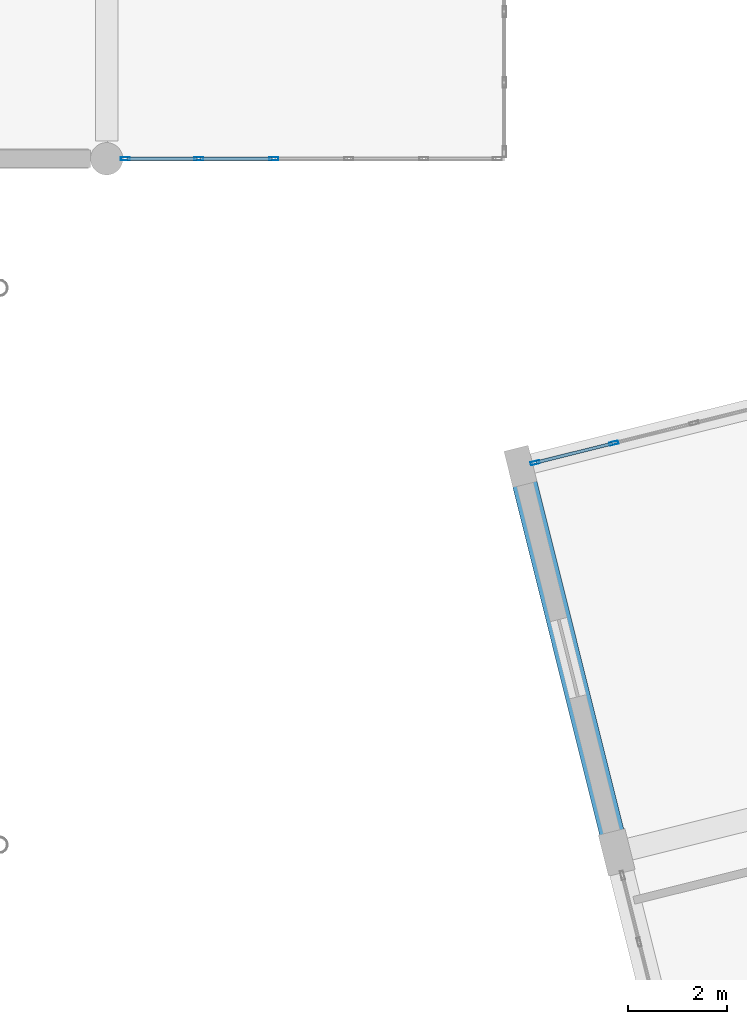
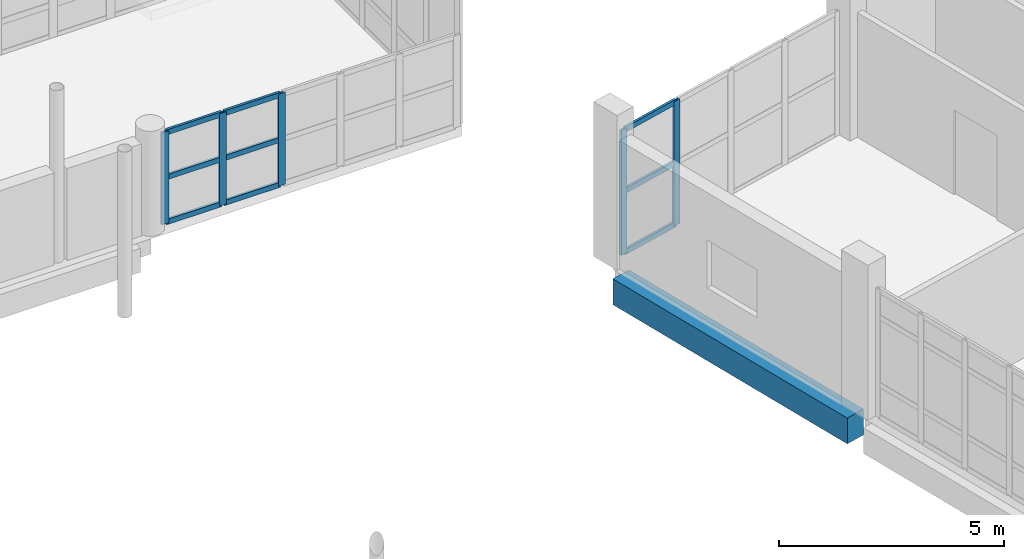
# One storey, part 57 of 164: 14 members, 1 beam, 2 elements without a shape of their own.
"""IFC4 building model written with IfcOpenShell, lengths in metres."""

from ifc_helpers import new_model, si_unit, direction, frame, origin, origin_2d, place, context, subcontext, project, spatial, rectangle, hollow_rectangle, extrude, material, layer, layer_set, material_profile, profile_set, type_object, element, aggregate, save


model = new_model("IFC4")

# Units and contexts
model_context = context("Model", 3, precision=1e-05, world=origin(), true_north=direction((0.0, 1.0)))
body_context = subcontext(model_context, "Body", "Model", "MODEL_VIEW")
ifc_project = project(units=[si_unit("LENGTHUNIT", "METRE"), si_unit("AREAUNIT", "SQUARE_METRE"), si_unit("VOLUMEUNIT", "CUBIC_METRE"), si_unit("PLANEANGLEUNIT", "RADIAN"), si_unit("MASSUNIT", "GRAM", prefix="KILO")], contexts=[model_context])

# Site, building, storey
site_placement = place(None, origin())
site = spatial("IfcSite", under=ifc_project, at=site_placement, CompositionType="ELEMENT")
building_placement = place(site_placement, origin())
building = spatial("IfcBuilding", under=site, at=building_placement, Name="Mawjan Specialist Oncology Clinic", CompositionType="ELEMENT")
storey_placement = place(building_placement, frame((0.0, 0.0, 5.0)))
storey = spatial("IfcBuildingStorey", under=building, at=storey_placement, Name="L01", CompositionType="ELEMENT", Elevation=5.0)

# Curtain wall, members
ifc_material_1 = material(Name="Unitised spectrally selective aluminium curtain wall", Category="aluminium")
ifc_layer_1 = layer(ifc_material_1, 0.179931640625, Name="Unitised spectrally selective aluminium curtain wall", Category="aluminium")
ifc_layer_set_1 = layer_set([ifc_layer_1], Name="Unitised spectrally selective aluminium curtain wall")
curtain_wall_type_1 = type_object("IfcCurtainWallType", Name="CW-48", PredefinedType="NOTDEFINED", material=ifc_layer_set_1)
curtain_wall_1_placement = place(storey_placement, origin())
curtain_wall_1 = element("IfcCurtainWall", 1, at=curtain_wall_1_placement, inside=storey, type_object=curtain_wall_type_1, Name="L01 Unitised Curtain Wall CW-L01-092", PredefinedType="NOTDEFINED")
ifc_material_2 = material(Name="Thermally broken aluminium 6063-T6", Category="aluminium")
ifc_material_profile_1 = material_profile(ifc_material_2, hollow_rectangle(XDim=0.06494140625, YDim=0.179931640625, WallThickness=0.00390625, at=origin_2d()), Name="ALU MULLION 180x65x4", Category="aluminium")
ifc_profile_set_1 = profile_set([ifc_material_profile_1], Name="Thermally broken aluminium 6063-T6")
member_type_1 = type_object("IfcMemberType", Name="CW-M180", PredefinedType="MULLION", material=ifc_profile_set_1)
member_1_placement = place(storey_placement, frame((116.61669921875, 39.68505859375, 0.0), z_axis=(0.0, 0.0, 1.0), x_axis=(-0.241922080664, 0.970295680134, 0.0)))
member_1 = element("IfcMember", 2, at=member_1_placement, type_object=member_type_1, Name="CW-48 mullion 1", PredefinedType="MULLION", context=body_context, shape_type="SweptSolid", body=[
    extrude(hollow_rectangle(XDim=0.06494140625, YDim=0.179931640625, WallThickness=0.00390625, at=origin_2d()), origin(), (0.0, 0.0, 1.0), 3.385009765625),
])
member_2_placement = place(storey_placement, frame((118.20068359375, 40.079833984375, 0.0), z_axis=(0.0, 0.0, 1.0), x_axis=(-0.241922080664, 0.970295680134, 0.0)))
member_2 = element("IfcMember", 3, at=member_2_placement, type_object=member_type_1, Name="CW-48 mullion 2", PredefinedType="MULLION", context=body_context, shape_type="SweptSolid", body=[
    extrude(hollow_rectangle(XDim=0.06494140625, YDim=0.179931640625, WallThickness=0.00390625, at=origin_2d()), origin(), (0.0, 0.0, 1.0), 3.385009765625),
])

ifc_material_3 = material(Name="Unitised spectrally selective aluminium curtain wall", Category="aluminium")
ifc_layer_2 = layer(ifc_material_3, 0.179931640625, Name="Unitised spectrally selective aluminium curtain wall", Category="aluminium")
ifc_layer_set_2 = layer_set([ifc_layer_2], Name="Unitised spectrally selective aluminium curtain wall")
curtain_wall_type_2 = type_object("IfcCurtainWallType", Name="CW-69", PredefinedType="NOTDEFINED", material=ifc_layer_set_2)
curtain_wall_2_placement = place(storey_placement, origin())
curtain_wall_2 = element("IfcCurtainWall", 4, at=curtain_wall_2_placement, inside=storey, type_object=curtain_wall_type_2, Name="L01 Unitised Curtain Wall CW-L01-137", PredefinedType="NOTDEFINED")
member_3_placement = place(storey_placement, frame((111.363037109375, 45.800048828125, 0.0), z_axis=(0.0, 0.0, 1.0), x_axis=(0.0, -1.0, 0.0)))
member_3 = element("IfcMember", 5, at=member_3_placement, type_object=member_type_1, Name="CW-69 mullion 4", PredefinedType="MULLION", context=body_context, shape_type="SweptSolid", body=[
    extrude(hollow_rectangle(XDim=0.06494140625, YDim=0.179931640625, WallThickness=0.00390625, at=origin_2d()), origin(), (0.0, 0.0, 1.0), 2.5),
])
member_4_placement = place(storey_placement, frame((109.85400390625, 45.800048828125, 0.0), z_axis=(0.0, 0.0, 1.0), x_axis=(0.0, -1.0, 0.0)))
member_4 = element("IfcMember", 6, at=member_4_placement, type_object=member_type_1, Name="CW-69 mullion 5", PredefinedType="MULLION", context=body_context, shape_type="SweptSolid", body=[
    extrude(hollow_rectangle(XDim=0.06494140625, YDim=0.179931640625, WallThickness=0.00390625, at=origin_2d()), origin(), (0.0, 0.0, 1.0), 2.5),
])
member_5_placement = place(storey_placement, frame((108.37744140625, 45.800048828125, 0.0), z_axis=(0.0, 0.0, 1.0), x_axis=(0.0, -1.0, 0.0)))
member_5 = element("IfcMember", 7, at=member_5_placement, type_object=member_type_1, Name="CW-69 mullion 6", PredefinedType="MULLION", context=body_context, shape_type="SweptSolid", body=[
    extrude(hollow_rectangle(XDim=0.06494140625, YDim=0.179931640625, WallThickness=0.00390625, at=origin_2d()), origin(), (0.0, 0.0, 1.0), 2.5),
])

# Member
ifc_material_4 = material(Name="Thermally broken aluminium 6063-T6", Category="aluminium")
ifc_material_profile_2 = material_profile(ifc_material_4, hollow_rectangle(XDim=0.06494140625, YDim=0.139892578125, WallThickness=0.00390625, at=origin_2d()), Name="ALU TRANSOM 140x65x4", Category="aluminium")
ifc_profile_set_2 = profile_set([ifc_material_profile_2], Name="Thermally broken aluminium 6063-T6")
member_type_2 = type_object("IfcMemberType", Name="CW-T140", PredefinedType="USERDEFINED", material=ifc_profile_set_2)
member_6_placement = place(storey_placement, frame((116.648193359375, 39.69287109375, 0.032470703125), z_axis=(0.970307185051, 0.241875932325, 0.0), x_axis=(-0.241875932325, 0.970307185051, 0.0)))
member_6 = element("IfcMember", 8, at=member_6_placement, type_object=member_type_2, Name="CW-48 transom 1.1", ObjectType="TRANSOM", PredefinedType="USERDEFINED", context=body_context, shape_type="SweptSolid", body=[
    extrude(hollow_rectangle(XDim=0.06494140625, YDim=0.139892578125, WallThickness=0.00390625, at=origin_2d()), origin(), (0.0, 0.0, 1.0), 1.567626953125),
])

member_7_placement = place(storey_placement, frame((116.648193359375, 39.69287109375, 1.6923828125), z_axis=(0.970307185051, 0.241875932325, 0.0), x_axis=(-0.241875932325, 0.970307185051, 0.0)))
member_7 = element("IfcMember", 9, at=member_7_placement, type_object=member_type_2, Name="CW-48 transom 1.2", ObjectType="TRANSOM", PredefinedType="USERDEFINED", context=body_context, shape_type="SweptSolid", body=[
    extrude(hollow_rectangle(XDim=0.06494140625, YDim=0.139892578125, WallThickness=0.00390625, at=origin_2d()), origin(), (0.0, 0.0, 1.0), 1.567626953125),
])

member_8_placement = place(storey_placement, frame((116.648193359375, 39.69287109375, 3.3525390625), z_axis=(0.970307185051, 0.241875932325, 0.0), x_axis=(-0.241875932325, 0.970307185051, 0.0)))
member_8 = element("IfcMember", 10, at=member_8_placement, type_object=member_type_2, Name="CW-48 transom 1.3", ObjectType="TRANSOM", PredefinedType="USERDEFINED", context=body_context, shape_type="SweptSolid", body=[
    extrude(hollow_rectangle(XDim=0.06494140625, YDim=0.139892578125, WallThickness=0.00390625, at=origin_2d()), origin(), (0.0, 0.0, 1.0), 1.567626953125),
])

aggregate(curtain_wall_1, [member_1, member_2, member_6, member_7, member_8])

member_9_placement = place(storey_placement, frame((111.33056640625, 45.800048828125, 0.032470703125), z_axis=(-1.0, 0.0, 0.0), x_axis=(0.0, -1.0, 0.0)))
member_9 = element("IfcMember", 11, at=member_9_placement, type_object=member_type_2, Name="CW-69 transom 4.1", ObjectType="TRANSOM", PredefinedType="USERDEFINED", context=body_context, shape_type="SweptSolid", body=[
    extrude(hollow_rectangle(XDim=0.06494140625, YDim=0.139892578125, WallThickness=0.00390625, at=origin_2d()), origin(), (0.0, 0.0, 1.0), 1.444091796875),
])

member_10_placement = place(storey_placement, frame((111.33056640625, 45.800048828125, 1.25), z_axis=(-1.0, 0.0, 0.0), x_axis=(0.0, -1.0, 0.0)))
member_10 = element("IfcMember", 12, at=member_10_placement, type_object=member_type_2, Name="CW-69 transom 4.2", ObjectType="TRANSOM", PredefinedType="USERDEFINED", context=body_context, shape_type="SweptSolid", body=[
    extrude(hollow_rectangle(XDim=0.06494140625, YDim=0.139892578125, WallThickness=0.00390625, at=origin_2d()), origin(), (0.0, 0.0, 1.0), 1.444091796875),
])

member_11_placement = place(storey_placement, frame((111.33056640625, 45.800048828125, 2.467529296875), z_axis=(-1.0, 0.0, 0.0), x_axis=(0.0, -1.0, 0.0)))
member_11 = element("IfcMember", 13, at=member_11_placement, type_object=member_type_2, Name="CW-69 transom 4.3", ObjectType="TRANSOM", PredefinedType="USERDEFINED", context=body_context, shape_type="SweptSolid", body=[
    extrude(hollow_rectangle(XDim=0.06494140625, YDim=0.139892578125, WallThickness=0.00390625, at=origin_2d()), origin(), (0.0, 0.0, 1.0), 1.444091796875),
])

member_12_placement = place(storey_placement, frame((109.821533203125, 45.800048828125, 0.032470703125), z_axis=(-1.0, 0.0, 0.0), x_axis=(0.0, -1.0, 0.0)))
member_12 = element("IfcMember", 14, at=member_12_placement, type_object=member_type_2, Name="CW-69 transom 5.1", ObjectType="TRANSOM", PredefinedType="USERDEFINED", context=body_context, shape_type="SweptSolid", body=[
    extrude(hollow_rectangle(XDim=0.06494140625, YDim=0.139892578125, WallThickness=0.00390625, at=origin_2d()), origin(), (0.0, 0.0, 1.0), 1.41162109375),
])

member_13_placement = place(storey_placement, frame((109.821533203125, 45.800048828125, 1.25), z_axis=(-1.0, 0.0, 0.0), x_axis=(0.0, -1.0, 0.0)))
member_13 = element("IfcMember", 15, at=member_13_placement, type_object=member_type_2, Name="CW-69 transom 5.2", ObjectType="TRANSOM", PredefinedType="USERDEFINED", context=body_context, shape_type="SweptSolid", body=[
    extrude(hollow_rectangle(XDim=0.06494140625, YDim=0.139892578125, WallThickness=0.00390625, at=origin_2d()), origin(), (0.0, 0.0, 1.0), 1.41162109375),
])

member_14_placement = place(storey_placement, frame((109.821533203125, 45.800048828125, 2.467529296875), z_axis=(-1.0, 0.0, 0.0), x_axis=(0.0, -1.0, 0.0)))
member_14 = element("IfcMember", 16, at=member_14_placement, type_object=member_type_2, Name="CW-69 transom 5.3", ObjectType="TRANSOM", PredefinedType="USERDEFINED", context=body_context, shape_type="SweptSolid", body=[
    extrude(hollow_rectangle(XDim=0.06494140625, YDim=0.139892578125, WallThickness=0.00390625, at=origin_2d()), origin(), (0.0, 0.0, 1.0), 1.41162109375),
])

aggregate(curtain_wall_2, [member_3, member_4, member_5, member_9, member_10, member_11, member_12, member_13, member_14])

# Beam
ifc_material_5 = material(Name="Concrete C45/55", Category="concrete")
ifc_material_profile_3 = material_profile(ifc_material_5, rectangle(XDim=0.5, YDim=0.699951171875, at=origin_2d()), Name="RC BM 500x700", Category="concrete")
ifc_profile_set_3 = profile_set([ifc_material_profile_3], Name="Concrete C45/55")
beam_type = type_object("IfcBeamType", Name="SP-500x700", PredefinedType="SPANDREL", material=ifc_profile_set_3)
beam_placement = place(storey_placement, frame((118.195556640625, 32.101806640625, -0.64990234375), z_axis=(-0.241930889434, 0.970293483817, 0.0), x_axis=(-0.970293483817, -0.241930889434, 0.0)))
element("IfcBeam", 17, at=beam_placement, inside=storey, type_object=beam_type, Name="L01 Spandrel Beam BM-L01-0616", PredefinedType="SPANDREL", context=body_context, shape_type="SweptSolid", body=[
    extrude(rectangle(XDim=0.5, YDim=0.699951171875, at=origin_2d()), origin(), (0.0, 0.0, 1.0), 7.5048828125),
])

save(model, "model.ifc")
